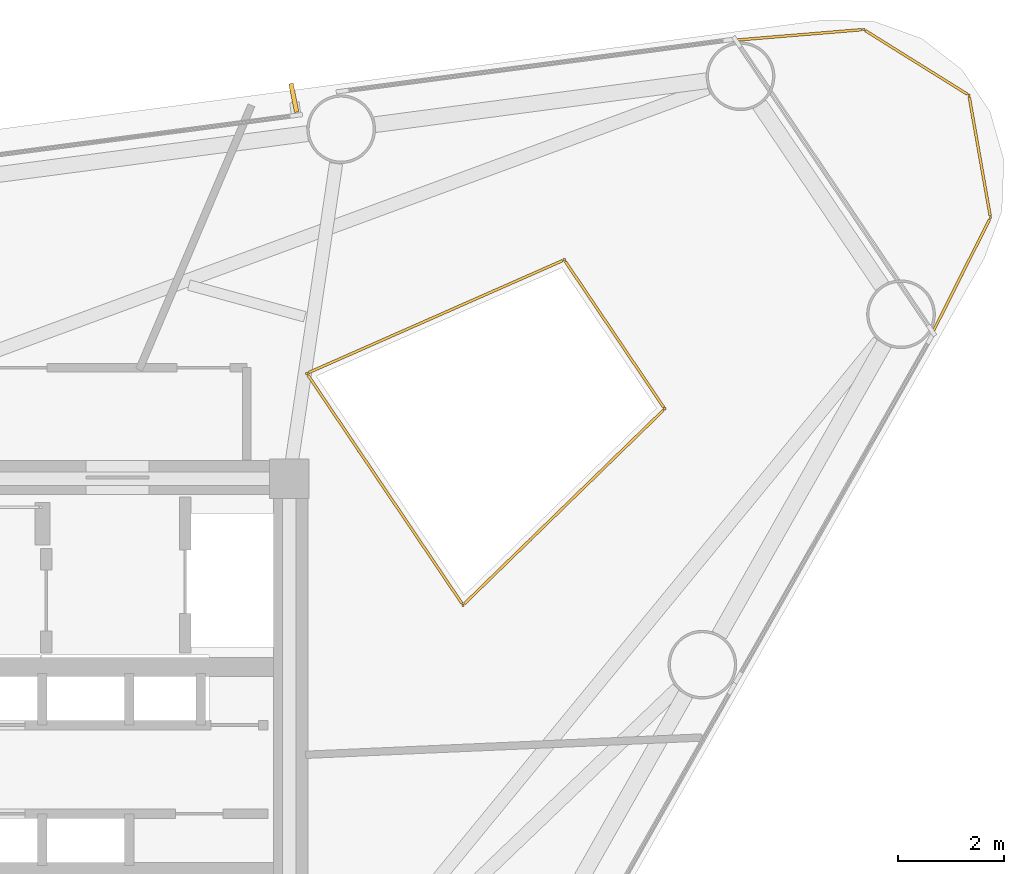
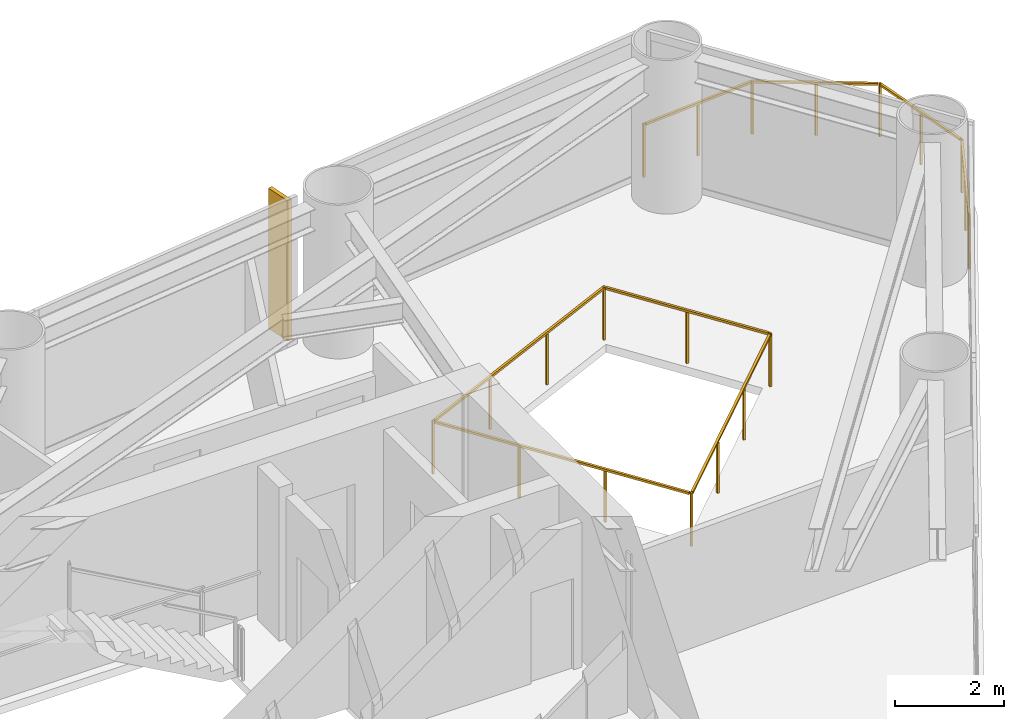
# One storey, part 9 of 9: 2 railings, 1 shading device.
"""IFC4 building model written with IfcOpenShell, lengths in metres."""

from ifc_helpers import new_model, si_unit, direction, frame, origin, origin_2d, place, context, subcontext, project, spatial, rectangle, extrude, source, transform, mapped, material, material_profile, profile_set, type_object, element, save


model = new_model("IFC4")

# Units and contexts
model_context = context("Model", 3, precision=1e-05, world=origin(), true_north=direction((0.0, 1.0)))
body_context = subcontext(model_context, "Body", "Model", "MODEL_VIEW")
ifc_project = project(units=[si_unit("LENGTHUNIT", "METRE"), si_unit("AREAUNIT", "SQUARE_METRE"), si_unit("VOLUMEUNIT", "CUBIC_METRE"), si_unit("PLANEANGLEUNIT", "RADIAN"), si_unit("MASSUNIT", "GRAM", prefix="KILO")], contexts=[model_context])

# Site, building, storey
site_placement = place(None, origin())
site = spatial("IfcSite", under=ifc_project, at=site_placement, CompositionType="ELEMENT")
building_placement = place(site_placement, origin())
building = spatial("IfcBuilding", under=site, at=building_placement, Name="Yunling Apex Tower", CompositionType="ELEMENT")
storey_placement = place(building_placement, frame((0.0, 0.0, 179.449951171875)))
storey = spatial("IfcBuildingStorey", under=building, at=storey_placement, Name="L44", CompositionType="ELEMENT", Elevation=179.449951171875)

# Railings
ifc_material = material(Name="Bronze anodised aluminium", Category="aluminium")
railing_type = type_object("IfcRailingType", Name="RL-BAL-1200", PredefinedType="BALUSTRADE", material=ifc_material)
railing_1_placement = place(storey_placement, frame((14.496337890625, 13.798095703125, 0.0)))
element("IfcRailing", 1, at=railing_1_placement, inside=storey, type_object=railing_type, Name="RL-CRNSILL-L44-1", PredefinedType="BALUSTRADE", context=body_context, shape_type="SweptSolid", body=[
    extrude(rectangle(XDim=0.0439453125, YDim=0.0439453125, at=origin_2d()), origin(), (0.0, 0.0, 1.0), 1.199951171875),
    extrude(rectangle(XDim=0.0439453125, YDim=0.0439453125, at=origin_2d()), frame((2.421142578125, 0.2001953125, 0.0)), (0.0, 0.0, 1.0), 1.199951171875),
    extrude(rectangle(XDim=0.050048828125, YDim=0.050048828125, at=origin_2d()), frame((0.0380859375, 0.003173828125, 1.1748046875), z_axis=(0.99659891826, 0.082405073407, 0.0), x_axis=(-0.082405073407, 0.99659891826, 0.0)), (0.0, 0.0, 1.0), 2.352783203125),
    extrude(rectangle(XDim=0.0439453125, YDim=0.0439453125, at=origin_2d()), frame((1.21044921875, 0.10009765625, 0.0)), (0.0, 0.0, 1.0), 1.14599609375),
    extrude(rectangle(XDim=0.0439453125, YDim=0.0439453125, at=origin_2d()), frame((4.412841796875, -1.043701171875, 0.0)), (0.0, 0.0, 1.0), 1.199951171875),
    extrude(rectangle(XDim=0.050048828125, YDim=0.050048828125, at=origin_2d()), frame((2.45361328125, 0.179931640625, 1.1748046875), z_axis=(0.84817348515, -0.52971854705, 0.0), x_axis=(0.52971854705, 0.84817348515, 0.0)), (0.0, 0.0, 1.0), 2.271484375),
    extrude(rectangle(XDim=0.0439453125, YDim=0.0439453125, at=origin_2d()), frame((3.4169921875, -0.421875, 0.0)), (0.0, 0.0, 1.0), 1.14599609375),
    extrude(rectangle(XDim=0.0439453125, YDim=0.0439453125, at=origin_2d()), frame((4.820068359375, -3.356201171875, 0.0)), (0.0, 0.0, 1.0), 1.199951171875),
    extrude(rectangle(XDim=0.050048828125, YDim=0.050048828125, at=origin_2d()), frame((4.41943359375, -1.08154296875, 1.1748046875), z_axis=(0.173429436748, -0.984846297891, 0.0), x_axis=(0.984846297891, 0.173429436748, 0.0)), (0.0, 0.0, 1.0), 2.271484375),
    extrude(rectangle(XDim=0.0439453125, YDim=0.0439453125, at=origin_2d()), frame((4.616455078125, -2.199951171875, 0.0)), (0.0, 0.0, 1.0), 1.14599609375),
    extrude(rectangle(XDim=0.0439453125, YDim=0.0439453125, at=origin_2d()), frame((3.7275390625, -5.526123046875, 0.0)), (0.0, 0.0, 1.0), 1.199951171875),
    extrude(rectangle(XDim=0.050048828125, YDim=0.050048828125, at=origin_2d()), frame((4.802734375, -3.390380859375, 1.1748046875), z_axis=(-0.449704074189, -0.893177611485, 0.0), x_axis=(0.893177611485, -0.449704074189, 0.0)), (0.0, 0.0, 1.0), 2.352783203125),
    extrude(rectangle(XDim=0.0439453125, YDim=0.0439453125, at=origin_2d()), frame((4.27392578125, -4.441162109375, 0.0)), (0.0, 0.0, 1.0), 1.14599609375),
])
railing_2_placement = place(storey_placement, frame((6.381103515625, 7.49267578125, 0.0)))
element("IfcRailing", 2, at=railing_2_placement, inside=storey, type_object=railing_type, Name="RL-TATR-L44", PredefinedType="BALUSTRADE", context=body_context, shape_type="SweptSolid", body=[
    extrude(rectangle(XDim=0.0439453125, YDim=0.0439453125, at=origin_2d()), origin(), (0.0, 0.0, 1.0), 1.199951171875),
    extrude(rectangle(XDim=0.0439453125, YDim=0.0439453125, at=origin_2d()), frame((4.87158203125, 2.1484375, 0.0)), (0.0, 0.0, 1.0), 1.199951171875),
    extrude(rectangle(XDim=0.050048828125, YDim=0.050048828125, at=origin_2d()), frame((0.03515625, 0.015380859375, 1.1748046875), z_axis=(0.914972578992, 0.403516021606, 0.0), x_axis=(-0.403516021606, 0.914972578992, 0.0)), (0.0, 0.0, 1.0), 5.24755859375),
    extrude(rectangle(XDim=0.0439453125, YDim=0.0439453125, at=origin_2d()), frame((1.623779296875, 0.716064453125, 0.0)), (0.0, 0.0, 1.0), 1.14599609375),
    extrude(rectangle(XDim=0.0439453125, YDim=0.0439453125, at=origin_2d()), frame((3.247802734375, 1.432373046875, 0.0)), (0.0, 0.0, 1.0), 1.14599609375),
    extrude(rectangle(XDim=0.0439453125, YDim=0.0439453125, at=origin_2d()), frame((6.773193359375, -0.6708984375, 0.0)), (0.0, 0.0, 1.0), 1.199951171875),
    extrude(rectangle(XDim=0.050048828125, YDim=0.050048828125, at=origin_2d()), frame((4.89306640625, 2.11669921875, 1.1748046875), z_axis=(0.559181833343, -0.829045039343, 0.0), x_axis=(0.829045039343, 0.559181833343, 0.0)), (0.0, 0.0, 1.0), 3.323974609375),
    extrude(rectangle(XDim=0.0439453125, YDim=0.0439453125, at=origin_2d()), frame((5.822265625, 0.73876953125, 0.0)), (0.0, 0.0, 1.0), 1.14599609375),
    extrude(rectangle(XDim=0.0439453125, YDim=0.0439453125, at=origin_2d()), frame((2.956298828125, -4.383056640625, 0.0)), (0.0, 0.0, 1.0), 1.199951171875),
    extrude(rectangle(XDim=0.050048828125, YDim=0.050048828125, at=origin_2d()), frame((6.74560546875, -0.697509765625, 1.1748046875), z_axis=(-0.71687395367, -0.697202792987, 0.0), x_axis=(0.697202792987, -0.71687395367, 0.0)), (0.0, 0.0, 1.0), 5.247802734375),
    extrude(rectangle(XDim=0.0439453125, YDim=0.0439453125, at=origin_2d()), frame((5.5009765625, -1.908203125, 0.0)), (0.0, 0.0, 1.0), 1.14599609375),
    extrude(rectangle(XDim=0.0439453125, YDim=0.0439453125, at=origin_2d()), frame((4.228515625, -3.145751953125, 0.0)), (0.0, 0.0, 1.0), 1.14599609375),
    extrude(rectangle(XDim=0.050048828125, YDim=0.050048828125, at=origin_2d()), frame((2.934814453125, -4.351318359375, 1.1748046875), z_axis=(-0.559178576396, 0.829047236109, 0.0), x_axis=(-0.829047236109, -0.559178576396, 0.0)), (0.0, 0.0, 1.0), 5.210205078125),
    extrude(rectangle(XDim=0.0439453125, YDim=0.0439453125, at=origin_2d()), frame((1.970947265625, -2.922119140625, 0.0)), (0.0, 0.0, 1.0), 1.14599609375),
    extrude(rectangle(XDim=0.0439453125, YDim=0.0439453125, at=origin_2d()), frame((0.9853515625, -1.4609375, 0.0)), (0.0, 0.0, 1.0), 1.14599609375),
])

# Shading device
ifc_material_profile = material_profile(ifc_material, rectangle(XDim=0.0849609375, YDim=0.550048828125, at=origin_2d()))
ifc_profile_set = profile_set([ifc_material_profile], Name="Bronze anodised aluminium")
shading_device_type = type_object("IfcShadingDeviceType", Name="FN-BRZ-3", PredefinedType="USERDEFINED", material=ifc_profile_set)
shared_shape = source(origin(), body_context, "Body", "SweptSolid", [
    extrude(rectangle(XDim=0.0849609375, YDim=0.550048828125, at=origin_2d()), origin(), (0.0, 0.0, 1.0), 3.14990234375),
])
shading_device_placement = place(storey_placement, frame((6.13671875, 12.706787109375, 0.06005859375), z_axis=(0.0, 0.0, 1.0), x_axis=(-0.980648842665, -0.195774991714, 0.0)))
element("IfcShadingDevice", 3, at=shading_device_placement, inside=storey, type_object=shading_device_type, Name="CW-L44-F2-B2-FIN-01", ObjectType="FIN", PredefinedType="USERDEFINED", context=body_context, shape_type="MappedRepresentation", body=[
    mapped(shared_shape, transform((0.0, 0.0, 0.0), scale=1.0)),
])

save(model, "model.ifc")
